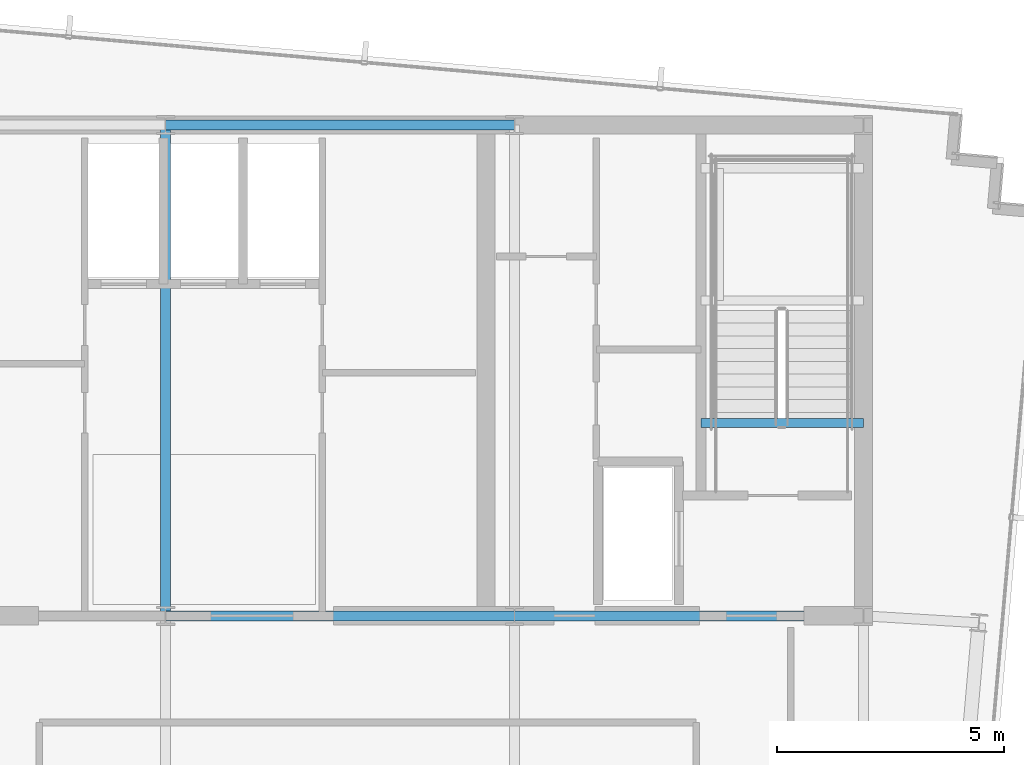
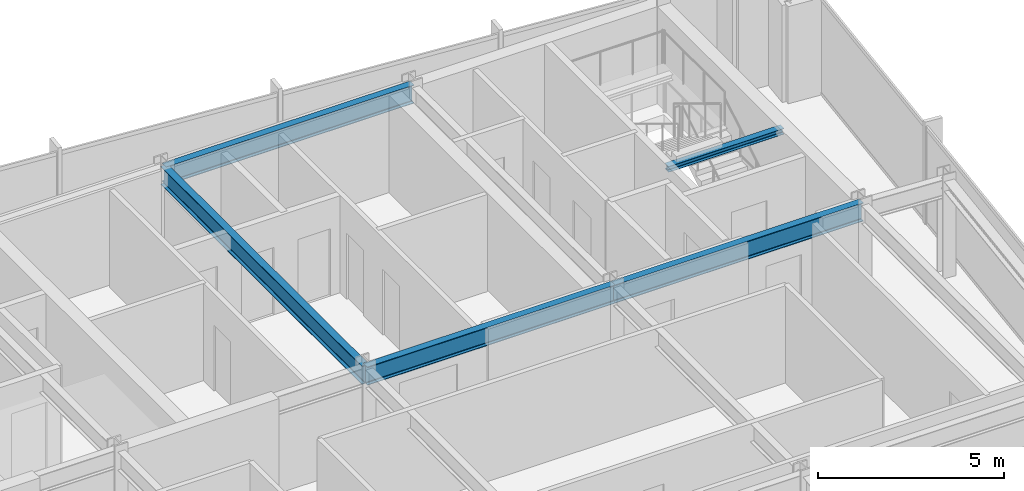
# One storey, part 18 of 32: 5 beams.
"""IFC4 building model written with IfcOpenShell, lengths in metres."""

from ifc_helpers import new_model, si_unit, direction, frame, origin, origin_2d, place, context, subcontext, project, spatial, i_section, extrude, material, material_profile, profile_set, type_object, element, save


model = new_model("IFC4")

# Units and contexts
model_context = context("Model", 3, precision=1e-05, world=origin(), true_north=direction((0.0, 1.0)))
body_context = subcontext(model_context, "Body", "Model", "MODEL_VIEW")
ifc_project = project(units=[si_unit("LENGTHUNIT", "METRE"), si_unit("AREAUNIT", "SQUARE_METRE"), si_unit("VOLUMEUNIT", "CUBIC_METRE"), si_unit("PLANEANGLEUNIT", "RADIAN"), si_unit("MASSUNIT", "GRAM", prefix="KILO")], contexts=[model_context])

# Site, building, storey
site_placement = place(None, origin())
site = spatial("IfcSite", under=ifc_project, at=site_placement, CompositionType="ELEMENT")
building_placement = place(site_placement, origin())
building = spatial("IfcBuilding", under=site, at=building_placement, Name="Yelkora Congress Tower", CompositionType="ELEMENT")
storey_placement = place(building_placement, frame((0.0, 0.0, 259.10009765625)))
storey = spatial("IfcBuildingStorey", under=building, at=storey_placement, Name="L72", CompositionType="ELEMENT", Elevation=259.10009765625)

# Beams
ifc_material = material(Name="Steel S355J2", Category="steel")
ifc_material_profile_1 = material_profile(ifc_material, i_section(OverallWidth=0.219970703125, OverallDepth=0.60009765625, WebThickness=0.011962890625, FlangeThickness=0.01904296875, FilletRadius=0.02392578125, at=origin_2d()), Name="IPE 600")
ifc_profile_set_1 = profile_set([ifc_material_profile_1], Name="Steel S355J2")
beam_type_1 = type_object("IfcBeamType", Name="BM-GIRD-IPE600", PredefinedType="BEAM", material=ifc_profile_set_1)
for number, where, z_axis, x_axis, name in (
    (1, (38.39990234375, 46.199951171875, 2.8798828125), (1.0, 0.0, 0.0), (0.0, 1.0, 0.0), "L72 Core North Girder 3"),
    (2, (38.39990234375, 35.39990234375, 2.8798828125), (1.0, 0.0, 0.0), (0.0, 1.0, 0.0), "L72 Core South Girder 3"),
):
    element("IfcBeam", number, at=place(storey_placement, frame(where, z_axis=z_axis, x_axis=x_axis)), inside=storey, type_object=beam_type_1, Name=name, PredefinedType="BEAM", context=body_context, shape_type="SweptSolid", body=[
        extrude(i_section(OverallWidth=0.219970703125, OverallDepth=0.60009765625, WebThickness=0.011962890625, FlangeThickness=0.01904296875, FilletRadius=0.02392578125, at=origin_2d()), origin(), (0.0, 0.0, 1.0), 7.68017578125),
    ])
beam_1_placement = place(storey_placement, frame((46.080078125, 35.39990234375, 2.8798828125), z_axis=(1.0, 0.0, 0.0), x_axis=(0.0, 1.0, 0.0)))
element("IfcBeam", 3, at=beam_1_placement, inside=storey, type_object=beam_type_1, Name="L72 Core South Girder 4", PredefinedType="BEAM", context=body_context, shape_type="SweptSolid", body=[
    extrude(i_section(OverallWidth=0.219970703125, OverallDepth=0.60009765625, WebThickness=0.011962890625, FlangeThickness=0.01904296875, FilletRadius=0.02392578125, at=origin_2d()), origin(), (0.0, 0.0, 1.0), 7.679931640625),
])
beam_2_placement = place(storey_placement, frame((38.39990234375, 35.39990234375, 2.8798828125), z_axis=(0.0, 1.0, 0.0), x_axis=(-1.0, 0.0, 0.0)))
element("IfcBeam", 4, at=beam_2_placement, inside=storey, type_object=beam_type_1, Name="L72 Core Tie Girder MC-S3", PredefinedType="BEAM", context=body_context, shape_type="SweptSolid", body=[
    extrude(i_section(OverallWidth=0.219970703125, OverallDepth=0.60009765625, WebThickness=0.011962890625, FlangeThickness=0.01904296875, FilletRadius=0.02392578125, at=origin_2d()), origin(), (0.0, 0.0, 1.0), 10.800048828125),
])
ifc_material_profile_2 = material_profile(ifc_material, i_section(OverallWidth=0.199951171875, OverallDepth=0.18994140625, WebThickness=0.006591796875, FlangeThickness=0.010009765625, FilletRadius=0.01806640625, at=origin_2d()), Name="HEA 200")
ifc_profile_set_2 = profile_set([ifc_material_profile_2], Name="Steel S355J2")
beam_type_2 = type_object("IfcBeamType", Name="BM-LAND-HEA200", PredefinedType="BEAM", material=ifc_profile_set_2)
beam_3_placement = place(storey_placement, frame((50.179931640625, 39.639892578125, 2.947265625), z_axis=(1.0, 0.0, 0.0), x_axis=(0.0, 1.0, 0.0)))
element("IfcBeam", 5, at=beam_3_placement, inside=storey, type_object=beam_type_2, Name="ST-02 L72 Floor Arrival Stringer Header Beam", PredefinedType="BEAM", context=body_context, shape_type="SweptSolid", body=[
    extrude(i_section(OverallWidth=0.199951171875, OverallDepth=0.18994140625, WebThickness=0.006591796875, FlangeThickness=0.010009765625, FilletRadius=0.01806640625, at=origin_2d()), origin(), (0.0, 0.0, 1.0), 3.580078125),
])

save(model, "model.ifc")
